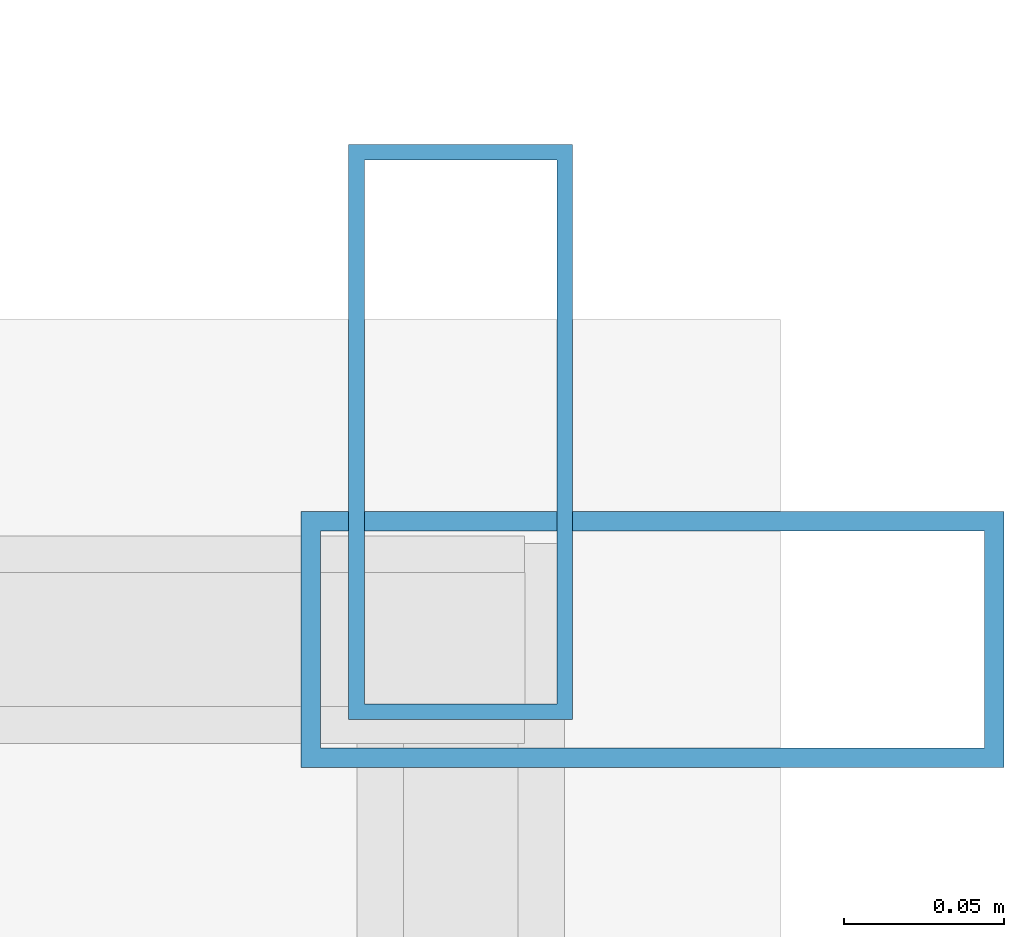
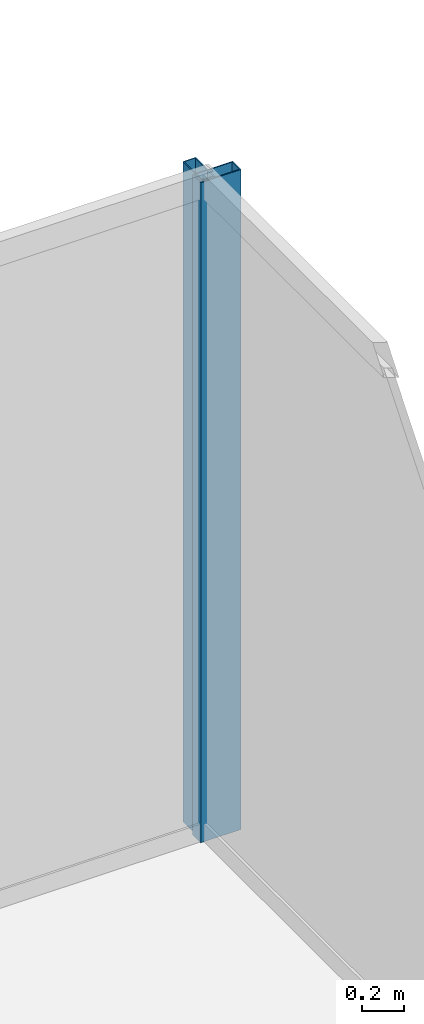
# One storey, part 26 of 35: 2 members, 2 elements without a shape of their own.
"""IFC4 building model written with IfcOpenShell, lengths in metres."""

from ifc_helpers import new_model, si_unit, direction, frame, origin, origin_2d, place, context, subcontext, project, spatial, hollow_rectangle, extrude, source, transform, mapped, material, layer, layer_set, material_profile, profile_set, type_object, type_shapes, element, aggregate, save


model = new_model("IFC4")

# Units and contexts
model_context = context("Model", 3, precision=1e-05, world=origin(), true_north=direction((0.0, 1.0)))
body_context = subcontext(model_context, "Body", "Model", "MODEL_VIEW")
ifc_project = project(units=[si_unit("LENGTHUNIT", "METRE"), si_unit("AREAUNIT", "SQUARE_METRE"), si_unit("VOLUMEUNIT", "CUBIC_METRE"), si_unit("PLANEANGLEUNIT", "RADIAN"), si_unit("MASSUNIT", "GRAM", prefix="KILO")], contexts=[model_context])

# Site, building, storey
site_placement = place(None, origin())
site = spatial("IfcSite", under=ifc_project, at=site_placement, CompositionType="ELEMENT")
building_placement = place(site_placement, origin())
building = spatial("IfcBuilding", under=site, at=building_placement, Name="Haelvirn Gate Laboratories", CompositionType="ELEMENT")
storey_placement = place(building_placement, frame((0.0, 0.0, 283.39990234375)))
storey = spatial("IfcBuildingStorey", under=building, at=storey_placement, Name="L68", CompositionType="ELEMENT", Elevation=283.39990234375)

# Curtain wall, member
ifc_material_1 = material(Name="Anodised bronze unitised aluminium & triple low-E glass", Category="aluminium")
ifc_layer_1 = layer(ifc_material_1, 0.176025390625, Name="CW-SYS-4")
ifc_layer_set_1 = layer_set([ifc_layer_1], Name="Anodised bronze unitised aluminium & triple low-E glass")
curtain_wall_type_1 = type_object("IfcCurtainWallType", Name="CW-SYS-4", PredefinedType="NOTDEFINED", material=ifc_layer_set_1)
curtain_wall_1_placement = place(storey_placement, origin())
curtain_wall_1 = element("IfcCurtainWall", 1, at=curtain_wall_1_placement, inside=storey, type_object=curtain_wall_type_1, Name="L68 Unitised Curtain Wall CW-L68-P0-E07", PredefinedType="NOTDEFINED")
ifc_material_2 = material(Name="Extruded aluminium 6063-T6 (anodised bronze)", Category="aluminium")
ifc_material_profile_1 = material_profile(ifc_material_2, hollow_rectangle(XDim=0.070068359375, YDim=0.179931640625, WallThickness=0.0048828125, at=origin_2d()), Name="CWM-180x70x5")
ifc_profile_set_1 = profile_set([ifc_material_profile_1], Name="Extruded aluminium 6063-T6 (anodised bronze)")
member_type_1 = type_object("IfcMemberType", Name="CWM-T180", PredefinedType="MULLION", material=ifc_profile_set_1)
shared_shape_1 = source(origin(), body_context, "Body", "SweptSolid", [
    extrude(hollow_rectangle(XDim=0.070068359375, YDim=0.179931640625, WallThickness=0.0048828125, at=origin_2d()), origin(), (0.0, 0.0, 1.0), 3.800048828125),
])
type_shapes(member_type_1, [shared_shape_1])
member_1_placement = place(storey_placement, frame((70.699951171875, 42.764892578125, 0.0), z_axis=(0.0, 0.0, 1.0), x_axis=(-1.0, 0.0, 0.0)))
member_1 = element("IfcMember", 2, at=member_1_placement, type_object=member_type_1, Name="CW4 mullion 3", PredefinedType="MULLION", context=body_context, shape_type="MappedRepresentation", body=[
    mapped(shared_shape_1, transform((0.0, 0.0, 0.0), scale=1.0)),
])
aggregate(curtain_wall_1, [member_1])

ifc_layer_2 = layer(ifc_material_1, 0.181884765625, Name="CW-SYS-5")
ifc_layer_set_2 = layer_set([ifc_layer_2], Name="Anodised bronze unitised aluminium & triple low-E glass")
curtain_wall_type_2 = type_object("IfcCurtainWallType", Name="CW-SYS-5", PredefinedType="NOTDEFINED", material=ifc_layer_set_2)
curtain_wall_2_placement = place(storey_placement, origin())
curtain_wall_2 = element("IfcCurtainWall", 3, at=curtain_wall_2_placement, inside=storey, type_object=curtain_wall_type_2, Name="L68 Unitised Curtain Wall CW-L68-P0-E08-1", PredefinedType="NOTDEFINED")
ifc_material_profile_2 = material_profile(ifc_material_2, hollow_rectangle(XDim=0.080078125, YDim=0.219970703125, WallThickness=0.006103515625, at=origin_2d()), Name="CWM-220x80x6")
ifc_profile_set_2 = profile_set([ifc_material_profile_2], Name="Extruded aluminium 6063-T6 (anodised bronze)")
member_type_2 = type_object("IfcMemberType", Name="CWM-T220", PredefinedType="MULLION", material=ifc_profile_set_2)
shared_shape_2 = source(origin(), body_context, "Body", "SweptSolid", [
    extrude(hollow_rectangle(XDim=0.080078125, YDim=0.219970703125, WallThickness=0.006103515625, at=origin_2d()), origin(), (0.0, 0.0, 1.0), 3.800048828125),
])
type_shapes(member_type_2, [shared_shape_2])
member_2_placement = place(storey_placement, frame((70.760009765625, 42.699951171875, 0.0), z_axis=(0.0, 0.0, 1.0), x_axis=(0.0, 1.0, 0.0)))
member_2 = element("IfcMember", 4, at=member_2_placement, type_object=member_type_2, Name="CW5 mullion 2", PredefinedType="MULLION", context=body_context, shape_type="MappedRepresentation", body=[
    mapped(shared_shape_2, transform((0.0, 0.0, 0.0), scale=1.0)),
])
aggregate(curtain_wall_2, [member_2])

save(model, "model.ifc")
